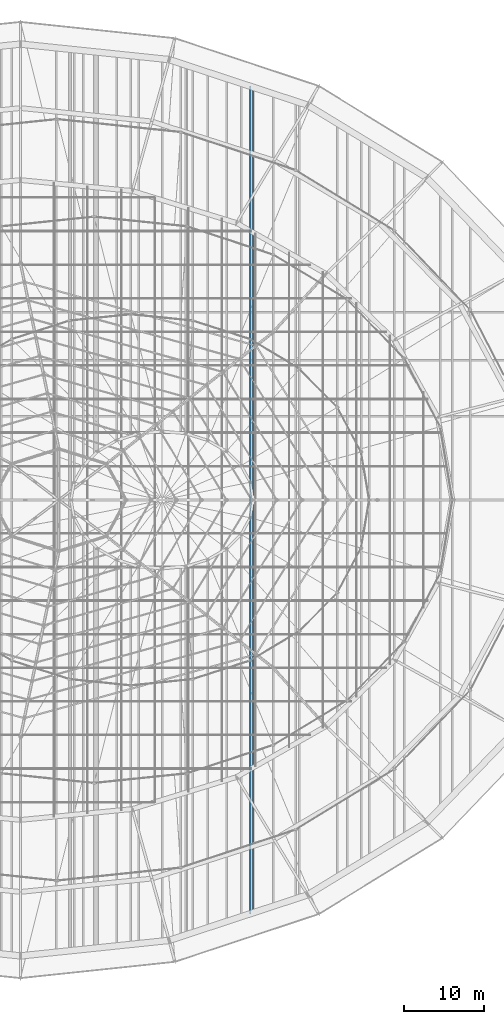
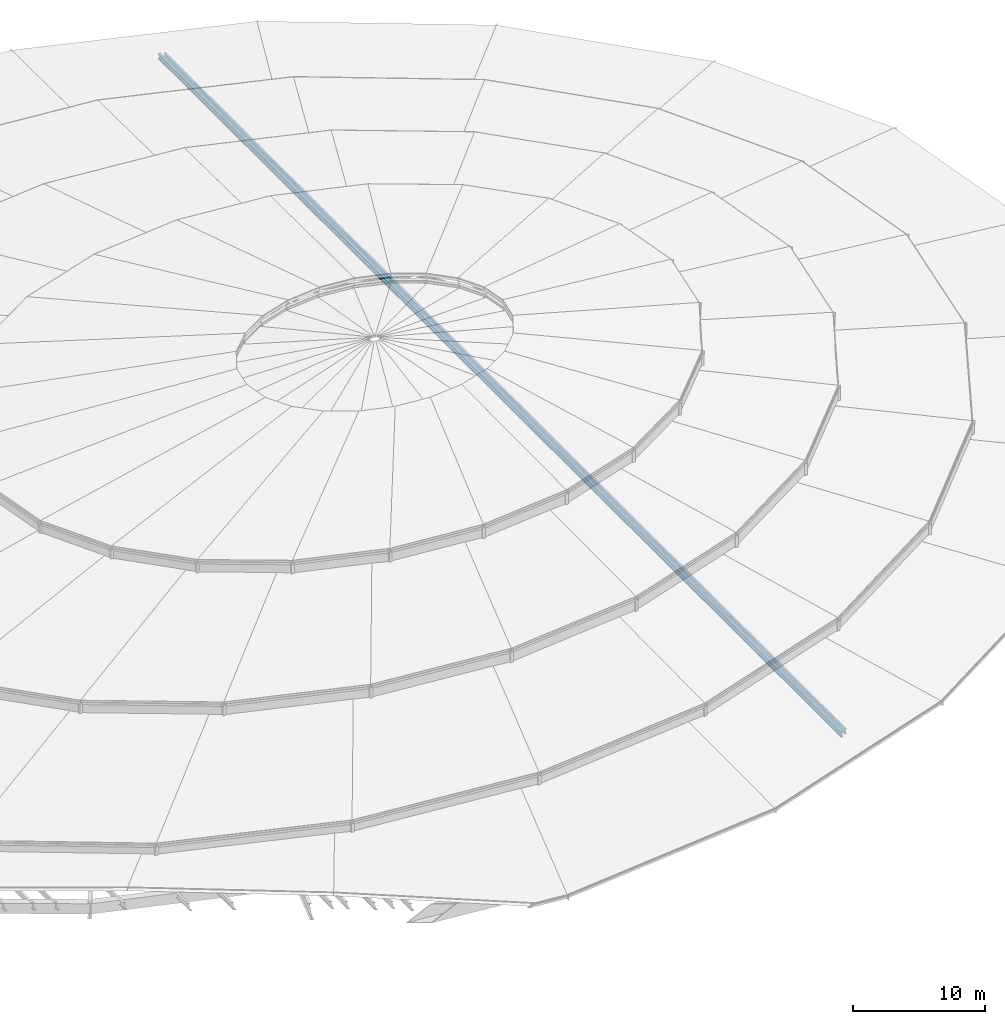
# One storey, part 82 of 184: 3 members.
"""IFC4 building model written with IfcOpenShell, lengths in metres."""

from ifc_helpers import new_model, si_unit, direction, frame, origin, origin_2d, place, context, subcontext, project, spatial, i_section, extrude, material, material_profile, profile_set, type_object, element, save


model = new_model("IFC4")

# Units and contexts
model_context = context("Model", 3, precision=1e-05, world=origin(), true_north=direction((0.0, 1.0)))
body_context = subcontext(model_context, "Body", "Model", "MODEL_VIEW")
ifc_project = project(units=[si_unit("LENGTHUNIT", "METRE"), si_unit("AREAUNIT", "SQUARE_METRE"), si_unit("VOLUMEUNIT", "CUBIC_METRE"), si_unit("PLANEANGLEUNIT", "RADIAN"), si_unit("MASSUNIT", "GRAM", prefix="KILO")], contexts=[model_context])

# Site, building, storey
site_placement = place(None, origin())
site = spatial("IfcSite", under=ifc_project, at=site_placement, CompositionType="ELEMENT")
building_placement = place(site_placement, origin())
building = spatial("IfcBuilding", under=site, at=building_placement, Name="Kalgoora Escarpment Arena", CompositionType="ELEMENT")
storey_placement = place(building_placement, frame((0.0, 0.0, 27.60009765625)))
storey = spatial("IfcBuildingStorey", under=building, at=storey_placement, Name="Roof Level", CompositionType="ELEMENT", Elevation=27.60009765625)

# Members
ifc_material = material(Name="Structural steel AS/NZS 3679 (300 MPa)", Category="steel")
ifc_material_profile = material_profile(ifc_material, i_section(OverallWidth=0.19091796875, OverallDepth=0.4599609375, WebThickness=0.010009765625, FlangeThickness=0.01611328125, at=origin_2d()))
ifc_profile_set = profile_set([ifc_material_profile], Name="Structural steel AS/NZS 3679 (300 MPa)")
member_type = type_object("IfcMemberType", Name="MEM-CARRIER-CHORD", PredefinedType="CHORD", material=ifc_profile_set)
member_1_placement = place(storey_placement, frame((121.10009765625, 12.26904296875, -0.960205078125), z_axis=(0.0, 1.0, 0.0), x_axis=(-1.0, 0.0, 0.0)))
element("IfcMember", 1, at=member_1_placement, inside=storey, type_object=member_type, Name="Petal RP4 spanning carrier chord C05", PredefinedType="CHORD", context=body_context, shape_type="SweptSolid", body=[
    extrude(i_section(OverallWidth=0.19091796875, OverallDepth=0.4599609375, WebThickness=0.010009765625, FlangeThickness=0.01611328125, at=origin_2d()), origin(), (0.0, 0.0, 1.0), 103.4619140625),
])
member_2_placement = place(storey_placement, frame((121.510009765625, 12.40380859375, -0.900146484375), z_axis=(0.0, 1.0, 0.0), x_axis=(-1.0, 0.0, 0.0)))
element("IfcMember", 2, at=member_2_placement, inside=storey, type_object=member_type, Name="Crown dome spanning carrier chord C01", PredefinedType="CHORD", context=body_context, shape_type="SweptSolid", body=[
    extrude(i_section(OverallWidth=0.19091796875, OverallDepth=0.4599609375, WebThickness=0.010009765625, FlangeThickness=0.01611328125, at=origin_2d()), origin(), (0.0, 0.0, 1.0), 103.1923828125),
])
member_3_placement = place(storey_placement, frame((121.12158203125, 12.276123046875, -0.900146484375), z_axis=(0.0, 1.0, 0.0), x_axis=(-1.0, 0.0, 0.0)))
element("IfcMember", 3, at=member_3_placement, inside=storey, type_object=member_type, Name="Crown dome spanning carrier chord C02", PredefinedType="CHORD", context=body_context, shape_type="SweptSolid", body=[
    extrude(i_section(OverallWidth=0.19091796875, OverallDepth=0.4599609375, WebThickness=0.010009765625, FlangeThickness=0.01611328125, at=origin_2d()), origin(), (0.0, 0.0, 1.0), 103.44775390625),
])

save(model, "model.ifc")
